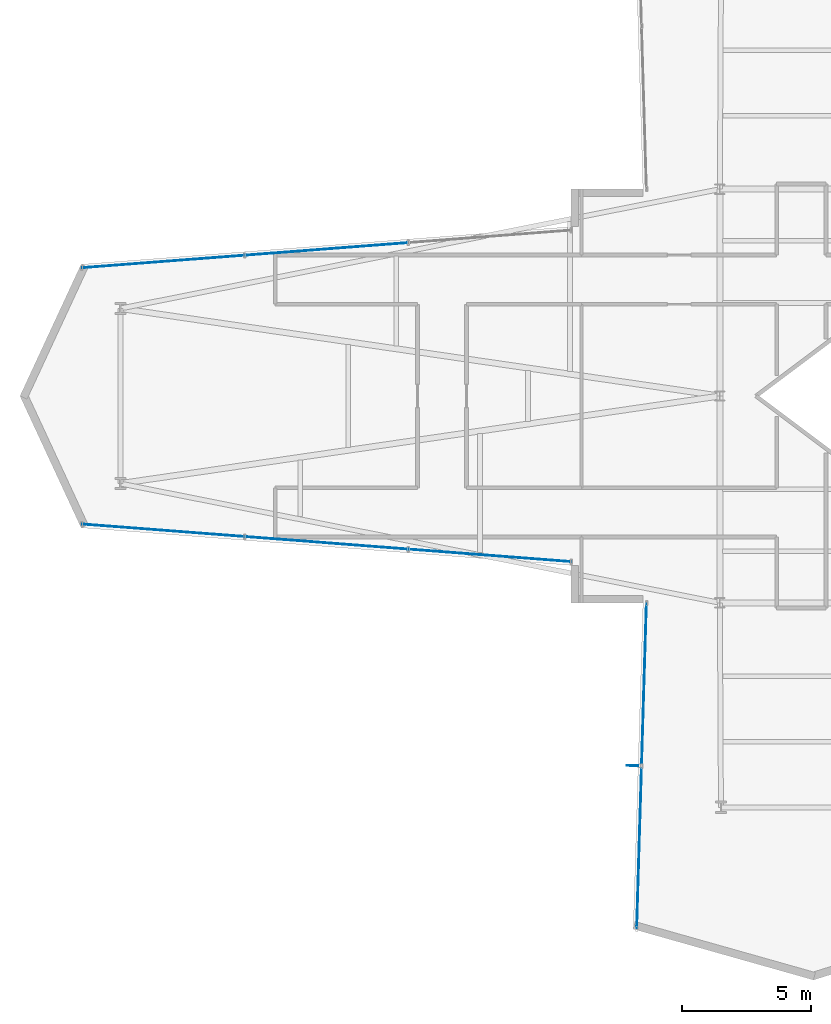
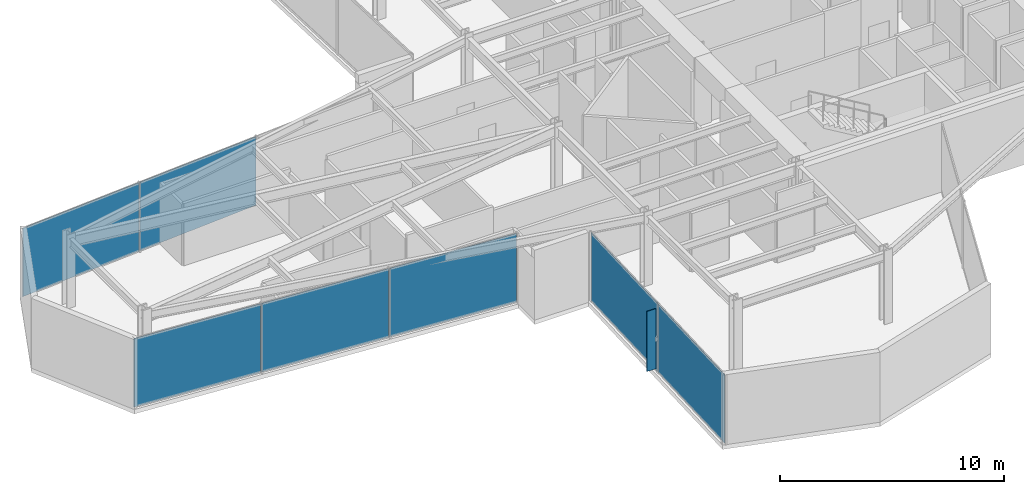
# One storey, part 23 of 29: 8 plates, 3 elements without a shape of their own.
"""IFC4 building model written with IfcOpenShell, lengths in metres."""

from ifc_helpers import new_model, si_unit, direction, frame, origin, origin_2d, place, context, subcontext, project, spatial, rectangle, extrude, material, layer, layer_set, type_object, element, aggregate, save


model = new_model("IFC4")

# Units and contexts
model_context = context("Model", 3, precision=1e-05, world=origin(), true_north=direction((0.0, 1.0)))
body_context = subcontext(model_context, "Body", "Model", "MODEL_VIEW")
ifc_project = project(units=[si_unit("LENGTHUNIT", "METRE"), si_unit("AREAUNIT", "SQUARE_METRE"), si_unit("VOLUMEUNIT", "CUBIC_METRE"), si_unit("PLANEANGLEUNIT", "RADIAN"), si_unit("MASSUNIT", "GRAM", prefix="KILO")], contexts=[model_context])

# Site, building, storey
site_placement = place(None, origin())
site = spatial("IfcSite", under=ifc_project, at=site_placement, CompositionType="ELEMENT")
building_placement = place(site_placement, origin())
building = spatial("IfcBuilding", under=site, at=building_placement, Name="Veymaron Broadcast Tower", CompositionType="ELEMENT")
storey_placement = place(building_placement, frame((0.0, 0.0, 41.85009765625)))
storey = spatial("IfcBuildingStorey", under=building, at=storey_placement, Name="L08", CompositionType="ELEMENT", Elevation=41.85009765625)

# Curtain wall, plates
ifc_material_1 = material(Name="Anodised aluminium AA 6063-T6 and laminated low-E dark glass", Category="aluminium")
ifc_layer_1 = layer(ifc_material_1, 0.179931640625)
ifc_layer_set_1 = layer_set([ifc_layer_1], Name="Anodised aluminium AA 6063-T6 and laminated low-E dark glass")
curtain_wall_type = type_object("IfcCurtainWallType", Name="CW-SYS-02", PredefinedType="NOTDEFINED", material=ifc_layer_set_1)
curtain_wall_1_placement = place(storey_placement, origin())
curtain_wall_1 = element("IfcCurtainWall", 1, at=curtain_wall_1_placement, inside=storey, type_object=curtain_wall_type, Name="L08 dark-glass curtain wall CW-L08-E11-1", PredefinedType="NOTDEFINED")
ifc_material_2 = material(Name="Double-silver solar-control dark glass IGU 32 mm", Category="glass")
ifc_layer_2 = layer(ifc_material_2, 0.031982421875)
ifc_layer_set_2 = layer_set([ifc_layer_2], Name="Double-silver solar-control dark glass IGU 32 mm")
plate_type_1 = type_object("IfcPlateType", Name="CW-PNL-02", PredefinedType="CURTAIN_PANEL", material=ifc_layer_set_2)
plate_1_placement = place(storey_placement, frame((15.984619140625, 29.684326171875, 0.039794921875), z_axis=(0.0, 0.0, 1.0), x_axis=(-0.997062117783, -0.076597214581, 0.0)))
plate_1 = element("IfcPlate", 2, at=plate_1_placement, type_object=plate_type_1, Name="CW-L08-E11-1 unitised curtain panel 1", PredefinedType="CURTAIN_PANEL", context=body_context, shape_type="SweptSolid", body=[
    extrude(rectangle(XDim=6.274658203125, YDim=0.031982421875, at=origin_2d()), origin(), (0.0, 0.0, 1.0), 3.72998046875),
])
plate_2_placement = place(storey_placement, frame((9.668701171875, 29.19921875, 0.039794921875), z_axis=(0.0, 0.0, 1.0), x_axis=(-0.997062117783, -0.076597214581, 0.0)))
plate_2 = element("IfcPlate", 3, at=plate_2_placement, type_object=plate_type_1, Name="CW-L08-E11-1 unitised curtain panel 2", PredefinedType="CURTAIN_PANEL", context=body_context, shape_type="SweptSolid", body=[
    extrude(rectangle(XDim=6.274658203125, YDim=0.031982421875, at=origin_2d()), origin(), (0.0, 0.0, 1.0), 3.72998046875),
])
aggregate(curtain_wall_1, [plate_1, plate_2])

curtain_wall_2_placement = place(storey_placement, origin())
curtain_wall_2 = element("IfcCurtainWall", 4, at=curtain_wall_2_placement, inside=storey, type_object=curtain_wall_type, Name="L08 dark-glass curtain wall CW-L08-E14-1", PredefinedType="NOTDEFINED")
plate_3_placement = place(storey_placement, frame((9.668701171875, 18.80078125, 0.039794921875), z_axis=(0.0, 0.0, 1.0), x_axis=(0.997062117783, -0.076597214581, 0.0)))
plate_3 = element("IfcPlate", 5, at=plate_3_placement, type_object=plate_type_1, Name="CW-L08-E14-1 unitised curtain panel 0", PredefinedType="CURTAIN_PANEL", context=body_context, shape_type="SweptSolid", body=[
    extrude(rectangle(XDim=6.274658203125, YDim=0.031982421875, at=origin_2d()), origin(), (0.0, 0.0, 1.0), 3.72998046875),
])
plate_4_placement = place(storey_placement, frame((15.984619140625, 18.315673828125, 0.039794921875), z_axis=(0.0, 0.0, 1.0), x_axis=(0.997062117783, -0.076597214581, 0.0)))
plate_4 = element("IfcPlate", 6, at=plate_4_placement, type_object=plate_type_1, Name="CW-L08-E14-1 unitised curtain panel 1", PredefinedType="CURTAIN_PANEL", context=body_context, shape_type="SweptSolid", body=[
    extrude(rectangle(XDim=6.274658203125, YDim=0.031982421875, at=origin_2d()), origin(), (0.0, 0.0, 1.0), 3.72998046875),
])
plate_5_placement = place(storey_placement, frame((22.30078125, 17.830322265625, 0.039794921875), z_axis=(0.0, 0.0, 1.0), x_axis=(0.997062117783, -0.076597214581, 0.0)))
plate_5 = element("IfcPlate", 7, at=plate_5_placement, type_object=plate_type_1, Name="CW-L08-E14-1 unitised curtain panel 2", PredefinedType="CURTAIN_PANEL", context=body_context, shape_type="SweptSolid", body=[
    extrude(rectangle(XDim=6.274658203125, YDim=0.031982421875, at=origin_2d()), origin(), (0.0, 0.0, 1.0), 3.72998046875),
])
aggregate(curtain_wall_2, [plate_3, plate_4, plate_5])

curtain_wall_3_placement = place(storey_placement, origin())
curtain_wall_3 = element("IfcCurtainWall", 8, at=curtain_wall_3_placement, inside=storey, type_object=curtain_wall_type, Name="L08 dark-glass curtain wall CW-L08-E17-1", PredefinedType="NOTDEFINED")
plate_6_placement = place(storey_placement, frame((28.269775390625, 12.843017578125, 0.039794921875), z_axis=(0.0, 0.0, 1.0), x_axis=(-0.029858145254, -0.999554146188, 0.0)))
plate_6 = element("IfcPlate", 9, at=plate_6_placement, type_object=plate_type_1, Name="CW-L08-E17-1 unitised curtain panel 0", PredefinedType="CURTAIN_PANEL", context=body_context, shape_type="SweptSolid", body=[
    extrude(rectangle(XDim=6.248291015625, YDim=0.031982421875, at=origin_2d()), origin(), (0.0, 0.0, 1.0), 3.72998046875),
])
plate_7_placement = place(storey_placement, frame((28.081298828125, 6.53759765625, 0.039794921875), z_axis=(0.0, 0.0, 1.0), x_axis=(-0.029858145254, -0.999554146188, 0.0)))
plate_7 = element("IfcPlate", 10, at=plate_7_placement, type_object=plate_type_1, Name="CW-L08-E17-1 unitised curtain panel 1", PredefinedType="CURTAIN_PANEL", context=body_context, shape_type="SweptSolid", body=[
    extrude(rectangle(XDim=6.248291015625, YDim=0.031982421875, at=origin_2d()), origin(), (0.0, 0.0, 1.0), 3.72998046875),
])
aggregate(curtain_wall_3, [plate_6, plate_7])

# Plate
ifc_material_3 = material(Name="Dark-anodised aluminium AA 6061-T6", Category="aluminium")
ifc_layer_3 = layer(ifc_material_3, 0.034912109375)
ifc_layer_set_3 = layer_set([ifc_layer_3], Name="Dark-anodised aluminium AA 6061-T6")
plate_type_2 = type_object("IfcPlateType", Name="FIN-CHEV-01", PredefinedType="USERDEFINED", material=ifc_layer_set_3)
plate_8_placement = place(storey_placement, frame((27.82080078125, 9.700927734375, 0.2666015625), z_axis=(0.0, 0.0, 1.0), x_axis=(-0.999554146188, 0.029858145254, 0.0)))
element("IfcPlate", 11, at=plate_8_placement, inside=storey, type_object=plate_type_2, Name="CW-L08-E17-1 chevron fin 1", ObjectType="FIN", PredefinedType="USERDEFINED", context=body_context, shape_type="SweptSolid", body=[
    extrude(rectangle(XDim=0.449951171875, YDim=0.034912109375, at=origin_2d()), origin(), (0.0, 0.0, 1.0), 3.276611328125),
])

save(model, "model.ifc")
